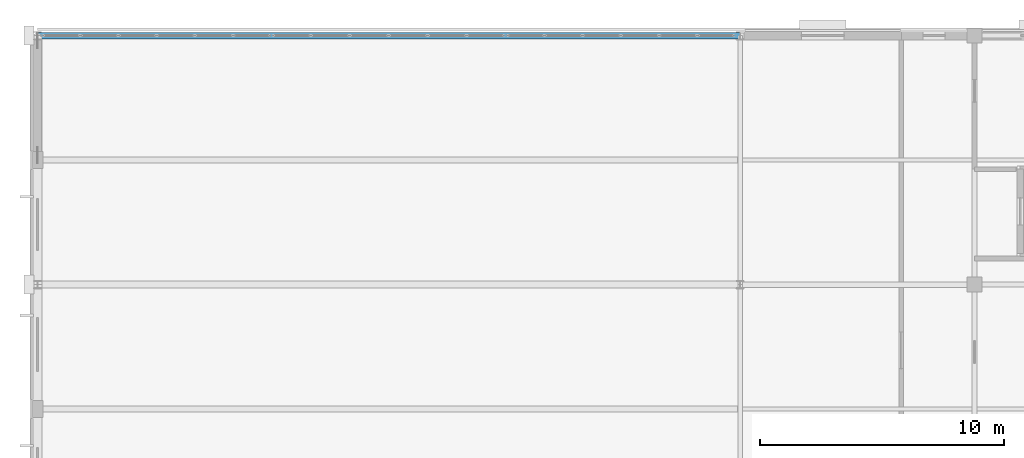
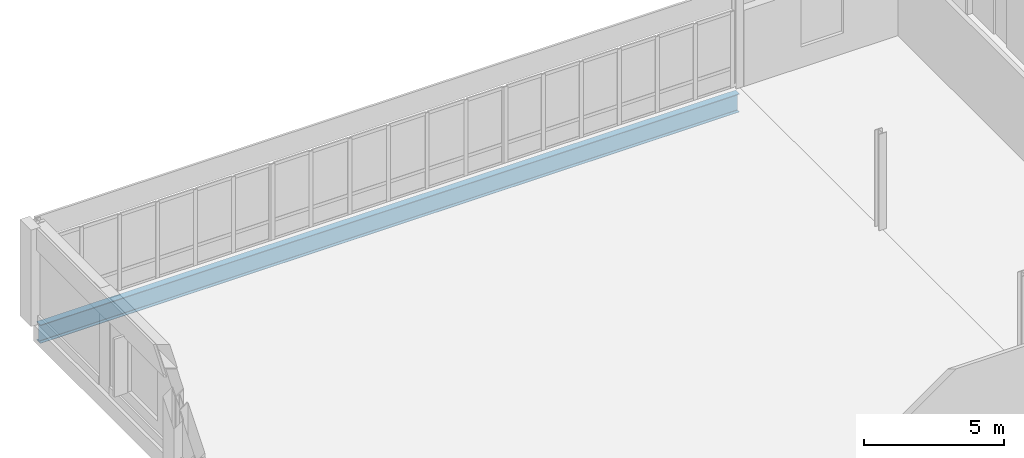
# One storey, part 67 of 185: 1 beam.
"""IFC4 building model written with IfcOpenShell, lengths in metres."""

from ifc_helpers import new_model, si_unit, direction, frame, origin, origin_2d, place, context, subcontext, project, spatial, i_section, extrude, material, material_profile, profile_set, type_object, element, save


model = new_model("IFC4")

# Units and contexts
model_context = context("Model", 3, precision=1e-05, world=origin(), true_north=direction((0.0, 1.0)))
body_context = subcontext(model_context, "Body", "Model", "MODEL_VIEW")
ifc_project = project(units=[si_unit("LENGTHUNIT", "METRE"), si_unit("AREAUNIT", "SQUARE_METRE"), si_unit("VOLUMEUNIT", "CUBIC_METRE"), si_unit("PLANEANGLEUNIT", "RADIAN"), si_unit("MASSUNIT", "GRAM", prefix="KILO")], contexts=[model_context])

# Site, building, storey
site_placement = place(None, origin())
site = spatial("IfcSite", under=ifc_project, at=site_placement, CompositionType="ELEMENT")
building_placement = place(site_placement, origin())
building = spatial("IfcBuilding", under=site, at=building_placement, Name="Vondelvale Polytechnic", CompositionType="ELEMENT")
storey_placement = place(building_placement, frame((0.0, 0.0, 9.60009765625)))
storey = spatial("IfcBuildingStorey", under=building, at=storey_placement, Name="L02", CompositionType="ELEMENT", Elevation=9.60009765625)

# Beam
ifc_material = material(Name="Steel 300PLUS (fy = 300 MPa)", Category="steel")
ifc_material_profile = material_profile(ifc_material, i_section(OverallWidth=0.27490234375, OverallDepth=0.800048828125, WebThickness=0.011962890625, FlangeThickness=0.02001953125, FilletRadius=0.011962890625, at=origin_2d()), Name="800WB168")
ifc_profile_set = profile_set([ifc_material_profile], Name="Steel 300PLUS (fy = 300 MPa)")
beam_type = type_object("IfcBeamType", Name="BM-WB800", PredefinedType="BEAM", material=ifc_profile_set)
beam_placement = place(storey_placement, frame((0.0, 122.39990234375, -0.68017578125), z_axis=(1.0, 0.0, 0.0), x_axis=(0.0, 1.0, 0.0)))
element("IfcBeam", 1, at=beam_placement, inside=storey, type_object=beam_type, Name="L02 B B-07", PredefinedType="BEAM", context=body_context, shape_type="SweptSolid", body=[
    extrude(i_section(OverallWidth=0.27490234375, OverallDepth=0.800048828125, WebThickness=0.011962890625, FlangeThickness=0.02001953125, FilletRadius=0.011962890625, at=origin_2d()), origin(), (0.0, 0.0, 1.0), 28.800048828125),
])

save(model, "model.ifc")
